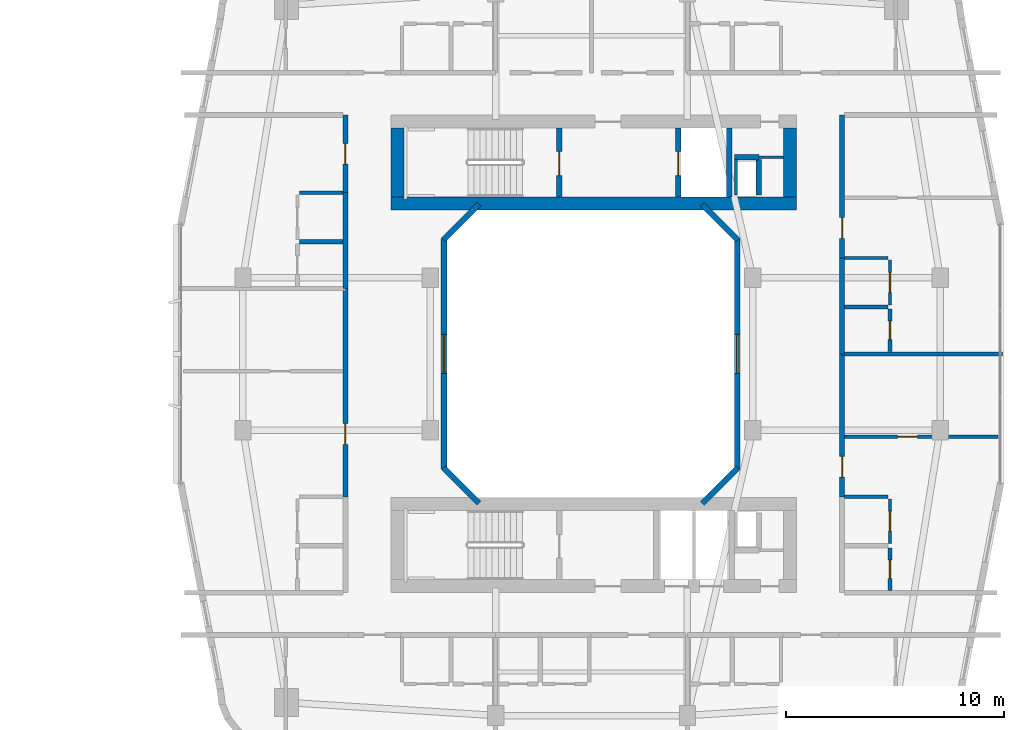
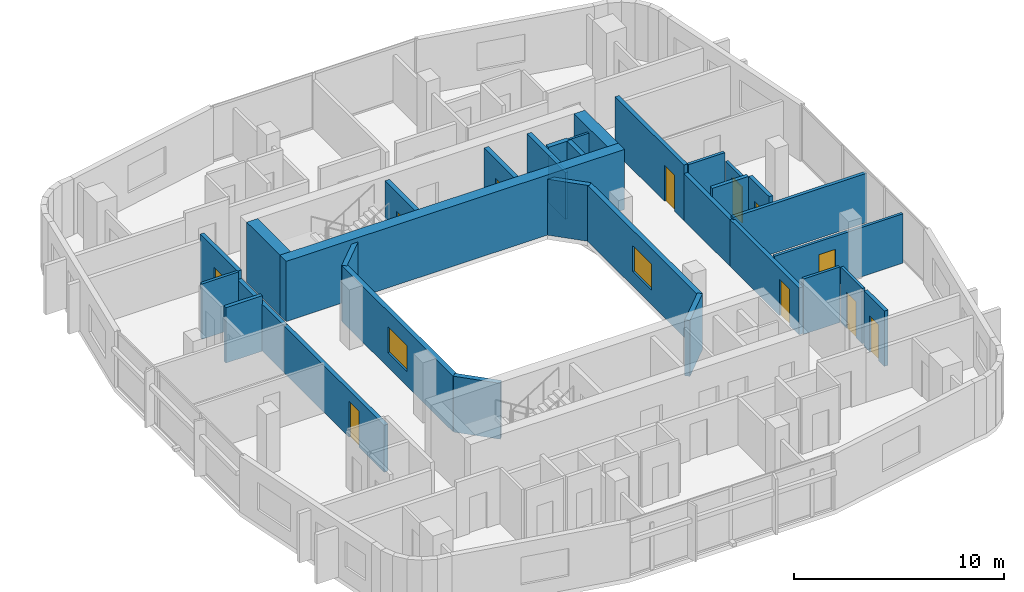
# One storey, part 19 of 26: 33 walls, 11 doors, 2 windows, 13 openings.
"""IFC4 building model written with IfcOpenShell, lengths in metres."""

from ifc_helpers import new_model, si_unit, derived_unit, direction, frame, frame_2d, origin, place, context, subcontext, project, spatial, rectangle, extrude, material, layer, layer_set, type_object, element, fill, save


model = new_model("IFC4")

# Units and contexts
model_context = context("Model", 3, precision=1e-05, world=origin(), true_north=direction((0.0, 1.0)))
body_context = subcontext(model_context, "Body", "Model", "MODEL_VIEW")
ifc_project = project(units=[si_unit("LENGTHUNIT", "METRE"), si_unit("AREAUNIT", "SQUARE_METRE"), si_unit("VOLUMEUNIT", "CUBIC_METRE"), si_unit("PLANEANGLEUNIT", "RADIAN"), si_unit("MASSUNIT", "GRAM", prefix="KILO"), derived_unit("THERMALTRANSMITTANCEUNIT", [(si_unit("POWERUNIT", "WATT"), 1), (si_unit("LENGTHUNIT", "METRE"), -2), (si_unit("THERMODYNAMICTEMPERATUREUNIT", "KELVIN"), -1)])], contexts=[model_context])

# Site, building, storey
site_placement = place(None, origin())
site = spatial("IfcSite", under=ifc_project, at=site_placement, CompositionType="ELEMENT")
building_placement = place(site_placement, origin())
building = spatial("IfcBuilding", under=site, at=building_placement, Name="Kivonza Crest Hotel", CompositionType="ELEMENT")
storey_placement = place(building_placement, frame((0.0, 0.0, 55.5)))
storey = spatial("IfcBuildingStorey", under=building, at=storey_placement, Name="L14", CompositionType="ELEMENT", Elevation=55.5)

# Wall
ifc_material_1 = material(Name="High-density acoustic masonry inter-tenancy wall", Category="masonry")
ifc_layer_1 = layer(ifc_material_1, 0.179931640625)
ifc_layer_set_1 = layer_set([ifc_layer_1], Name="High-density acoustic masonry inter-tenancy wall")
wall_type_1 = type_object("IfcWallType", Name="WL-ACOU-180", PredefinedType="SOLIDWALL", material=ifc_layer_set_1)
wall_1_placement = place(storey_placement, frame((88.5, 25.0, 0.0), z_axis=(0.0, 0.0, 1.0), x_axis=(1.0, 0.0, 0.0)))
element("IfcWall", 1, at=wall_1_placement, inside=storey, type_object=wall_type_1, Name="L14 interior partition WA-L14-T2E-DIV1", PredefinedType="SOLIDWALL", context=body_context, shape_type="SweptSolid", body=[
    extrude(rectangle(XDim=7.360107421875, YDim=0.179931640625, at=frame_2d((3.68017578125, 0.0))), origin(), (0.0, 0.0, 1.0), 2.864990234375),
])

# Wall, opening, door
ifc_material_2 = material(Name="Autoclaved aerated concrete blockwork", Category="masonry")
ifc_layer_2 = layer(ifc_material_2, 0.219970703125)
ifc_layer_set_2 = layer_set([ifc_layer_2], Name="Autoclaved aerated concrete blockwork")
wall_type_2 = type_object("IfcWallType", Name="WL-ACOU-220", PredefinedType="SOLIDWALL", material=ifc_layer_set_2)
wall_2_placement = place(storey_placement, frame((65.699951171875, 18.43994140625, 0.0), z_axis=(0.0, 0.0, 1.0), x_axis=(0.0, 1.0, 0.0)))
wall_2 = element("IfcWall", 2, at=wall_2_placement, inside=storey, type_object=wall_type_2, Name="L14 interior partition WA-L14-A06-MCORR", PredefinedType="SOLIDWALL", context=body_context, shape_type="SweptSolid", body=[
    extrude(rectangle(XDim=9.56005859375, YDim=0.219970703125, at=frame_2d((4.780029296875, 0.0))), origin(), (0.0, 0.0, 1.0), 2.72509765625),
])
opening_1_placement = place(wall_2_placement, frame((2.405029296875, 0.0, 0.0)))
opening_1 = element("IfcOpeningElement", 3, at=opening_1_placement, cuts=wall_2, Name="Opening DU-60", PredefinedType="OPENING", context=body_context, shape_type="SweptSolid", body=[
    extrude(rectangle(XDim=0.949951171875, YDim=2.10009765625, at=frame_2d((0.47509765625, 1.050048828125))), frame((0.0, 0.1201171875, 0.0), z_axis=(0.0, -1.0, 0.0), x_axis=(1.0, 0.0, 0.0)), (0.0, 0.0, 1.0), 0.239990234375),
])
ifc_material_3 = material(Name="Hardwood timber oak", Category="wood")
door_type_1 = type_object("IfcDoorType", Name="DR-UNIT-950", OperationType="NOTDEFINED", PredefinedType="DOOR", material=ifc_material_3)
door_1_placement = place(opening_1_placement, origin())
door_1 = element("IfcDoor", 4, at=door_1_placement, inside=storey, type_object=door_type_1, Name="L14 A06 apartment entrance fire door", OperationType="SINGLE_SWING_RIGHT", OverallHeight=2.10009765625, OverallWidth=0.949951171875, PredefinedType="DOOR", context=body_context, shape_type="SweptSolid", body=[
    extrude(rectangle(XDim=0.949951171875, YDim=2.10009765625, at=frame_2d((0.47509765625, 1.050048828125))), frame((0.0, 0.02490234375, 0.0), z_axis=(0.0, -1.0, 0.0), x_axis=(1.0, 0.0, 0.0)), (0.0, 0.0, 1.0), 0.050048828125),
])
fill(opening_1, door_1)

# Wall
wall_3_placement = place(storey_placement, frame((65.699951171875, 28.0, 0.0), z_axis=(0.0, 0.0, 1.0), x_axis=(0.0, 1.0, 0.0)))
element("IfcWall", 5, at=wall_3_placement, inside=storey, type_object=wall_type_2, Name="L14 interior partition WA-L14-A07-BCORR", PredefinedType="SOLIDWALL", context=body_context, shape_type="SweptSolid", body=[
    extrude(rectangle(XDim=4.39990234375, YDim=0.219970703125, at=frame_2d((2.199951171875, 0.0))), origin(), (0.0, 0.0, 1.0), 2.72509765625),
])

# Wall, opening, door
wall_4_placement = place(storey_placement, frame((65.699951171875, 32.39990234375, 0.0), z_axis=(0.0, 0.0, 1.0), x_axis=(0.0, 1.0, 0.0)))
wall_4 = element("IfcWall", 6, at=wall_4_placement, inside=storey, type_object=wall_type_2, Name="L14 interior partition WA-L14-A07-MCORR", PredefinedType="SOLIDWALL", context=body_context, shape_type="SweptSolid", body=[
    extrude(rectangle(XDim=3.56005859375, YDim=0.219970703125, at=frame_2d((1.780029296875, 0.0))), origin(), (0.0, 0.0, 1.0), 3.219970703125),
])
opening_2_placement = place(wall_4_placement, frame((1.304931640625, 0.0, 0.0)))
opening_2 = element("IfcOpeningElement", 7, at=opening_2_placement, cuts=wall_4, Name="Opening DU-60", PredefinedType="OPENING", context=body_context, shape_type="SweptSolid", body=[
    extrude(rectangle(XDim=0.949951171875, YDim=2.10009765625, at=frame_2d((0.47509765625, 1.050048828125))), frame((0.0, 0.1201171875, 0.0), z_axis=(0.0, -1.0, 0.0), x_axis=(1.0, 0.0, 0.0)), (0.0, 0.0, 1.0), 0.239990234375),
])
door_2_placement = place(opening_2_placement, origin())
door_2 = element("IfcDoor", 8, at=door_2_placement, inside=storey, type_object=door_type_1, Name="L14 A07 apartment entrance fire door", OperationType="SINGLE_SWING_LEFT", OverallHeight=2.10009765625, OverallWidth=0.949951171875, PredefinedType="DOOR", context=body_context, shape_type="SweptSolid", body=[
    extrude(rectangle(XDim=0.949951171875, YDim=2.10009765625, at=frame_2d((0.47509765625, 1.050048828125))), frame((0.0, 0.02490234375, 0.0), z_axis=(0.0, -1.0, 0.0), x_axis=(1.0, 0.0, 0.0)), (0.0, 0.0, 1.0), 0.050048828125),
])
fill(opening_2, door_2)

wall_5_placement = place(storey_placement, frame((88.5, 18.43994140625, 0.0), z_axis=(0.0, 0.0, 1.0), x_axis=(0.0, 1.0, 0.0)))
wall_5 = element("IfcWall", 9, at=wall_5_placement, inside=storey, type_object=wall_type_2, Name="L14 interior partition WA-L14-A08-MCORR", PredefinedType="SOLIDWALL", context=body_context, shape_type="SweptSolid", body=[
    extrude(rectangle(XDim=6.56005859375, YDim=0.219970703125, at=frame_2d((3.280029296875, 0.0))), origin(), (0.0, 0.0, 1.0), 2.72509765625),
])
opening_3_placement = place(wall_5_placement, frame((0.905029296875, 0.0, 0.0)))
opening_3 = element("IfcOpeningElement", 10, at=opening_3_placement, cuts=wall_5, Name="Opening DU-60", PredefinedType="OPENING", context=body_context, shape_type="SweptSolid", body=[
    extrude(rectangle(XDim=0.949951171875, YDim=2.10009765625, at=frame_2d((0.47509765625, 1.050048828125))), frame((0.0, 0.1201171875, 0.0), z_axis=(0.0, -1.0, 0.0), x_axis=(1.0, 0.0, 0.0)), (0.0, 0.0, 1.0), 0.239990234375),
])
door_3_placement = place(opening_3_placement, frame((0.949951171875, 0.0, 0.0), z_axis=(0.0, 0.0, 1.0), x_axis=(-1.0, 0.0, 0.0)))
door_3 = element("IfcDoor", 11, at=door_3_placement, inside=storey, type_object=door_type_1, Name="L14 A08 apartment entrance fire door", OperationType="SINGLE_SWING_RIGHT", OverallHeight=2.10009765625, OverallWidth=0.949951171875, PredefinedType="DOOR", context=body_context, shape_type="SweptSolid", body=[
    extrude(rectangle(XDim=0.949951171875, YDim=2.10009765625, at=frame_2d((0.47509765625, 1.050048828125))), frame((0.0, 0.02490234375, 0.0), z_axis=(0.0, -1.0, 0.0), x_axis=(1.0, 0.0, 0.0)), (0.0, 0.0, 1.0), 0.050048828125),
])
fill(opening_3, door_3)

# Wall
wall_6_placement = place(storey_placement, frame((88.5, 25.0, 0.0), z_axis=(0.0, 0.0, 1.0), x_axis=(0.0, 1.0, 0.0)))
element("IfcWall", 12, at=wall_6_placement, inside=storey, type_object=wall_type_2, Name="L14 interior partition WA-L14-A09-BCORR", PredefinedType="SOLIDWALL", context=body_context, shape_type="SweptSolid", body=[
    extrude(rectangle(XDim=4.39990234375, YDim=0.219970703125, at=frame_2d((2.199951171875, 0.0))), origin(), (0.0, 0.0, 1.0), 2.72509765625),
])

# Wall, opening, door
wall_7_placement = place(storey_placement, frame((88.5, 29.39990234375, 0.0), z_axis=(0.0, 0.0, 1.0), x_axis=(0.0, 1.0, 0.0)))
wall_7 = element("IfcWall", 13, at=wall_7_placement, inside=storey, type_object=wall_type_2, Name="L14 interior partition WA-L14-A09-MCORR", PredefinedType="SOLIDWALL", context=body_context, shape_type="SweptSolid", body=[
    extrude(rectangle(XDim=6.56005859375, YDim=0.219970703125, at=frame_2d((3.280029296875, 0.0))), origin(), (0.0, 0.0, 1.0), 3.219970703125),
])
opening_4_placement = place(wall_7_placement, frame((0.905029296875, 0.0, 0.0)))
opening_4 = element("IfcOpeningElement", 14, at=opening_4_placement, cuts=wall_7, Name="Opening DU-60", PredefinedType="OPENING", context=body_context, shape_type="SweptSolid", body=[
    extrude(rectangle(XDim=0.949951171875, YDim=2.10009765625, at=frame_2d((0.47509765625, 1.050048828125))), frame((0.0, 0.1201171875, 0.0), z_axis=(0.0, -1.0, 0.0), x_axis=(1.0, 0.0, 0.0)), (0.0, 0.0, 1.0), 0.239990234375),
])
door_4_placement = place(opening_4_placement, frame((0.949951171875, 0.0, 0.0), z_axis=(0.0, 0.0, 1.0), x_axis=(-1.0, 0.0, 0.0)))
door_4 = element("IfcDoor", 15, at=door_4_placement, inside=storey, type_object=door_type_1, Name="L14 A09 apartment entrance fire door", OperationType="SINGLE_SWING_LEFT", OverallHeight=2.10009765625, OverallWidth=0.949951171875, PredefinedType="DOOR", context=body_context, shape_type="SweptSolid", body=[
    extrude(rectangle(XDim=0.949951171875, YDim=2.10009765625, at=frame_2d((0.47509765625, 1.050048828125))), frame((0.0, 0.02490234375, 0.0), z_axis=(0.0, -1.0, 0.0), x_axis=(1.0, 0.0, 0.0)), (0.0, 0.0, 1.0), 0.050048828125),
])
fill(opening_4, door_4)

# Walls
ifc_material_4 = material(Name="Concrete C60/75", Category="concrete")
ifc_layer_3 = layer(ifc_material_4, 0.60009765625)
ifc_layer_set_3 = layer_set([ifc_layer_3], Name="Concrete C60/75")
wall_type_3 = type_object("IfcWallType", Name="WL-CORE-600", PredefinedType="SHEAR", material=ifc_layer_set_3)
wall_8_placement = place(storey_placement, frame((67.800048828125, 31.89990234375, 0.0), z_axis=(0.0, 0.0, 1.0), x_axis=(1.0, 0.0, 0.0)))
element("IfcWall", 16, at=wall_8_placement, inside=storey, type_object=wall_type_3, Name="Core wall T2-N South L14", PredefinedType="SHEAR", context=body_context, shape_type="SweptSolid", body=[
    extrude(rectangle(XDim=18.599853515625, YDim=0.60009765625, at=frame_2d((9.2998046875, 0.0))), origin(), (0.0, 0.0, 1.0), 3.5),
])
for number, where, z_axis, x_axis, name in (
    (17, (68.10009765625, 32.199951171875, 0.0), (0.0, 0.0, 1.0), (0.0, 1.0, 0.0), "Core wall T2-N West L14"),
    (18, (86.10009765625, 32.199951171875, 0.0), (0.0, 0.0, 1.0), (0.0, 1.0, 0.0), "Core wall T2-N East L14"),
):
    element("IfcWall", number, at=place(storey_placement, frame(where, z_axis=z_axis, x_axis=x_axis)), inside=storey, type_object=wall_type_3, Name=name, PredefinedType="SHEAR", context=body_context, shape_type="SweptSolid", body=[
        extrude(rectangle(XDim=3.16015625, YDim=0.60009765625, at=frame_2d((1.580078125, 0.0))), origin(), (0.0, 0.0, 1.0), 3.5),
    ])
ifc_material_5 = material(Name="Precast concrete C40/50", Category="concrete")
ifc_layer_4 = layer(ifc_material_5, 0.260009765625)
ifc_layer_set_4 = layer_set([ifc_layer_4], Name="Precast concrete C40/50")
wall_type_4 = type_object("IfcWallType", Name="WL-EXT-260", PredefinedType="STANDARD", material=ifc_layer_set_4)
wall_9_placement = place(storey_placement, frame((82.08203125, 18.137939453125, 0.0), z_axis=(0.0, 0.0, 1.0), x_axis=(0.707106781187, 0.707106781187, 0.0)))
element("IfcWall", 19, at=wall_9_placement, inside=storey, type_object=wall_type_4, Name="L14 T2 light-well exterior wall 2", PredefinedType="STANDARD", context=body_context, shape_type="SweptSolid", body=[
    extrude(rectangle(XDim=2.310791015625, YDim=0.260009765625, at=frame_2d((1.1552734375, 0.0))), origin(), (0.0, 0.0, 1.0), 3.25),
])

# Wall, opening, window
wall_10_placement = place(storey_placement, frame((83.68994140625, 19.7099609375, 0.0), z_axis=(0.0, 0.0, 1.0), x_axis=(0.0, 1.0, 0.0)))
wall_10 = element("IfcWall", 20, at=wall_10_placement, inside=storey, type_object=wall_type_4, Name="L14 T2 light-well exterior wall 3", PredefinedType="STANDARD", context=body_context, shape_type="SweptSolid", body=[
    extrude(rectangle(XDim=10.580078125, YDim=0.260009765625, at=frame_2d((5.2900390625, 0.0))), origin(), (0.0, 0.0, 1.0), 3.25),
])
opening_5_placement = place(wall_10_placement, frame((4.389892578125, 0.0, 0.85009765625)))
opening_5 = element("IfcOpeningElement", 21, at=opening_5_placement, cuts=wall_10, Name="Opening WN-03", PredefinedType="OPENING", context=body_context, shape_type="SweptSolid", body=[
    extrude(rectangle(XDim=1.800048828125, YDim=1.5, at=frame_2d((0.89990234375, 0.75))), frame((0.0, 0.14013671875, 0.0), z_axis=(0.0, -1.0, 0.0), x_axis=(1.0, 0.0, 0.0)), (0.0, 0.0, 1.0), 0.280029296875),
])
ifc_material_6 = material(Name="Thermally broken bronze aluminium and low-E double glazing", Category="aluminium")
window_type = type_object("IfcWindowType", Name="WN-180x150", PartitioningType="DOUBLE_PANEL_VERTICAL", PredefinedType="WINDOW", material=ifc_material_6)
window_1_placement = place(opening_5_placement, origin())
window_1 = element("IfcWindow", 22, at=window_1_placement, inside=storey, type_object=window_type, Name="L14 T2 light-well window 3", OverallHeight=1.5, OverallWidth=1.800048828125, PartitioningType="SINGLE_PANEL", PredefinedType="WINDOW", context=body_context, shape_type="SweptSolid", body=[
    extrude(rectangle(XDim=1.800048828125, YDim=1.5, at=frame_2d((0.89990234375, 0.75))), frame((0.0, 0.030029296875, 0.0), z_axis=(0.0, -1.0, 0.0), x_axis=(1.0, 0.0, 0.0)), (0.0, 0.0, 1.0), 0.06005859375),
])
fill(opening_5, window_1)

# Walls
for number, where, z_axis, x_axis, name in (
    (23, (83.716064453125, 30.22802734375, 0.0), (0.0, 0.0, 1.0), (-0.707106781187, 0.707106781187, 0.0), "L14 T2 light-well exterior wall 4"),
    (24, (71.837890625, 31.862060546875, 0.0), (0.0, 0.0, 1.0), (-0.707053950914, -0.707159607512, 0.0), "L14 T2 light-well exterior wall 6"),
):
    element("IfcWall", number, at=place(storey_placement, frame(where, z_axis=z_axis, x_axis=x_axis)), inside=storey, type_object=wall_type_4, Name=name, PredefinedType="STANDARD", context=body_context, shape_type="SweptSolid", body=[
        extrude(rectangle(XDim=2.310791015625, YDim=0.260009765625, at=frame_2d((1.1552734375, 0.0))), origin(), (0.0, 0.0, 1.0), 3.25),
    ])

# Wall, opening, window
wall_11_placement = place(storey_placement, frame((70.22998046875, 30.2900390625, 0.0), z_axis=(0.0, 0.0, 1.0), x_axis=(0.0, -1.0, 0.0)))
wall_11 = element("IfcWall", 25, at=wall_11_placement, inside=storey, type_object=wall_type_4, Name="L14 T2 light-well exterior wall 7", PredefinedType="STANDARD", context=body_context, shape_type="SweptSolid", body=[
    extrude(rectangle(XDim=10.580078125, YDim=0.260009765625, at=frame_2d((5.2900390625, 0.0))), origin(), (0.0, 0.0, 1.0), 3.25),
])
opening_6_placement = place(wall_11_placement, frame((4.389892578125, 0.0, 0.85009765625)))
opening_6 = element("IfcOpeningElement", 26, at=opening_6_placement, cuts=wall_11, Name="Opening WN-03", PredefinedType="OPENING", context=body_context, shape_type="SweptSolid", body=[
    extrude(rectangle(XDim=1.800048828125, YDim=1.5, at=frame_2d((0.89990234375, 0.75))), frame((0.0, 0.14013671875, 0.0), z_axis=(0.0, -1.0, 0.0), x_axis=(1.0, 0.0, 0.0)), (0.0, 0.0, 1.0), 0.280029296875),
])
window_2_placement = place(opening_6_placement, origin())
window_2 = element("IfcWindow", 27, at=window_2_placement, inside=storey, type_object=window_type, Name="L14 T2 light-well window 7", OverallHeight=1.5, OverallWidth=1.800048828125, PartitioningType="SINGLE_PANEL", PredefinedType="WINDOW", context=body_context, shape_type="SweptSolid", body=[
    extrude(rectangle(XDim=1.800048828125, YDim=1.5, at=frame_2d((0.89990234375, 0.75))), frame((0.0, 0.030029296875, 0.0), z_axis=(0.0, -1.0, 0.0), x_axis=(1.0, 0.0, 0.0)), (0.0, 0.0, 1.0), 0.06005859375),
])
fill(opening_6, window_2)

# Walls
wall_12_placement = place(storey_placement, frame((70.2041015625, 19.77197265625, 0.0), z_axis=(0.0, 0.0, 1.0), x_axis=(0.707053950914, -0.707159607512, 0.0)))
element("IfcWall", 28, at=wall_12_placement, inside=storey, type_object=wall_type_4, Name="L14 T2 light-well exterior wall 8", PredefinedType="STANDARD", context=body_context, shape_type="SweptSolid", body=[
    extrude(rectangle(XDim=2.310791015625, YDim=0.260009765625, at=frame_2d((1.1552734375, 0.0))), origin(), (0.0, 0.0, 1.0), 3.25),
])
ifc_material_7 = material(Name="Concrete blockwork fire-compartment wall", Category="masonry")
ifc_layer_5 = layer(ifc_material_7, 0.25)
ifc_layer_set_5 = layer_set([ifc_layer_5], Name="Concrete blockwork fire-compartment wall")
wall_type_5 = type_object("IfcWallType", Name="WL-FIRE-250", PredefinedType="SOLIDWALL", material=ifc_layer_set_5)
wall_13_placement = place(storey_placement, frame((84.679931640625, 32.300048828125, 0.0), z_axis=(0.0, 0.0, 1.0), x_axis=(0.0, 1.0, 0.0)))
element("IfcWall", 29, at=wall_13_placement, inside=storey, type_object=wall_type_5, Name="L14 interior partition WA-L14-T2-N-MEPR-E", PredefinedType="SOLIDWALL", context=body_context, shape_type="SweptSolid", body=[
    extrude(rectangle(XDim=1.619873046875, YDim=0.25, at=frame_2d((0.81005859375, 0.0))), origin(), (0.0, 0.0, 1.0), 3.219970703125),
])
wall_14_placement = place(storey_placement, frame((83.550048828125, 34.02001953125, 0.0), z_axis=(0.0, 0.0, 1.0), x_axis=(1.0, 0.0, 0.0)))
element("IfcWall", 30, at=wall_14_placement, inside=storey, type_object=wall_type_5, Name="L14 interior partition WA-L14-T2-N-MEPR-H", PredefinedType="SOLIDWALL", context=body_context, shape_type="SweptSolid", body=[
    extrude(rectangle(XDim=1.1298828125, YDim=0.25, at=frame_2d((0.56494140625, 0.0))), origin(), (0.0, 0.0, 1.0), 3.219970703125),
])
ifc_material_8 = material(Name="Metal-stud gypsum board partition", Category="gypsum")
ifc_layer_6 = layer(ifc_material_8, 0.125)
ifc_layer_set_6 = layer_set([ifc_layer_6], Name="Metal-stud gypsum board partition")
wall_type_6 = type_object("IfcWallType", Name="WL-PART-125", PredefinedType="PARTITIONING", material=ifc_layer_set_6)
wall_15_placement = place(storey_placement, frame((84.679931640625, 34.02001953125, 0.0), z_axis=(0.0, 0.0, 1.0), x_axis=(1.0, 0.0, 0.0)))
element("IfcWall", 31, at=wall_15_placement, inside=storey, type_object=wall_type_6, Name="L14 interior partition WP-L14-T2-N-T2H", PredefinedType="PARTITIONING", context=body_context, shape_type="SweptSolid", body=[
    extrude(rectangle(XDim=1.1201171875, YDim=0.125, at=frame_2d((0.56005859375, 0.0))), origin(), (0.0, 0.0, 1.0), 3.219970703125),
])
ifc_material_9 = material(Name="Twin-stud acoustic gypsum board partition", Category="gypsum")
ifc_layer_7 = layer(ifc_material_9, 0.14990234375)
ifc_layer_set_7 = layer_set([ifc_layer_7], Name="Twin-stud acoustic gypsum board partition")
wall_type_7 = type_object("IfcWallType", Name="WL-PART-150", PredefinedType="PARTITIONING", material=ifc_layer_set_7)
wall_16_placement = place(storey_placement, frame((83.6298828125, 32.300048828125, 0.0), z_axis=(0.0, 0.0, 1.0), x_axis=(0.0, 1.0, 0.0)))
element("IfcWall", 32, at=wall_16_placement, inside=storey, type_object=wall_type_7, Name="L14 interior partition WA-L14-T2-N-MEPR-W", PredefinedType="PARTITIONING", context=body_context, shape_type="SweptSolid", body=[
    extrude(rectangle(XDim=1.619873046875, YDim=0.14990234375, at=frame_2d((0.81005859375, 0.0))), origin(), (0.0, 0.0, 1.0), 2.72509765625),
])
wall_17_placement = place(storey_placement, frame((63.60009765625, 32.39990234375, 0.0), z_axis=(0.0, 0.0, 1.0), x_axis=(1.0, 0.0, 0.0)))
element("IfcWall", 33, at=wall_17_placement, inside=storey, type_object=wall_type_7, Name="L14 interior partition WP-L14-A07-KF", PredefinedType="PARTITIONING", context=body_context, shape_type="SweptSolid", body=[
    extrude(rectangle(XDim=2.0, YDim=0.14990234375, at=frame_2d((1.0, 0.0))), origin(), (0.0, 0.0, 1.0), 3.219970703125),
])

# Wall, opening, door
wall_18_placement = place(storey_placement, frame((88.60009765625, 21.199951171875, 0.0), z_axis=(0.0, 0.0, 1.0), x_axis=(1.0, 0.0, 0.0)))
wall_18 = element("IfcWall", 34, at=wall_18_placement, inside=storey, type_object=wall_type_7, Name="L14 interior partition WP-L14-A08-BD1", PredefinedType="PARTITIONING", context=body_context, shape_type="SweptSolid", body=[
    extrude(rectangle(XDim=7.059814453125, YDim=0.14990234375, at=frame_2d((3.52978515625, 0.0))), origin(), (0.0, 0.0, 1.0), 2.864990234375),
])
opening_7_placement = place(wall_18_placement, frame((2.449951171875, 0.0, 0.0)))
opening_7 = element("IfcOpeningElement", 35, at=opening_7_placement, cuts=wall_18, Name="Opening DI-90", PredefinedType="OPENING", context=body_context, shape_type="SweptSolid", body=[
    extrude(rectangle(XDim=0.89990234375, YDim=2.10009765625, at=frame_2d((0.449951171875, 1.050048828125))), frame((0.0, 0.0849609375, 0.0), z_axis=(0.0, -1.0, 0.0), x_axis=(1.0, 0.0, 0.0)), (0.0, 0.0, 1.0), 0.169921875),
])
door_type_2 = type_object("IfcDoorType", Name="DR-INT-900", OperationType="NOTDEFINED", PredefinedType="DOOR", material=ifc_material_3)
door_5_placement = place(opening_7_placement, origin())
door_5 = element("IfcDoor", 36, at=door_5_placement, inside=storey, type_object=door_type_2, Name="L14 A08 bedroom door", OperationType="SINGLE_SWING_LEFT", OverallHeight=2.10009765625, OverallWidth=0.89990234375, PredefinedType="DOOR", context=body_context, shape_type="SweptSolid", body=[
    extrude(rectangle(XDim=0.89990234375, YDim=2.10009765625, at=frame_2d((0.449951171875, 1.050048828125))), frame((0.0, 0.02490234375, 0.0), z_axis=(0.0, -1.0, 0.0), x_axis=(1.0, 0.0, 0.0)), (0.0, 0.0, 1.0), 0.050048828125),
])
fill(opening_7, door_5)

# Wall
wall_19_placement = place(storey_placement, frame((88.60009765625, 18.43994140625, 0.0), z_axis=(0.0, 0.0, 1.0), x_axis=(1.0, 0.0, 0.0)))
element("IfcWall", 37, at=wall_19_placement, inside=storey, type_object=wall_type_7, Name="L14 interior partition WP-L14-A08-KF", PredefinedType="PARTITIONING", context=body_context, shape_type="SweptSolid", body=[
    extrude(rectangle(XDim=2.0, YDim=0.14990234375, at=frame_2d((1.0, 0.0))), origin(), (0.0, 0.0, 1.0), 3.219970703125),
])

# Wall, opening, door
wall_20_placement = place(storey_placement, frame((90.699951171875, 16.2900390625, 0.0), z_axis=(0.0, 0.0, 1.0), x_axis=(0.0, 1.0, 0.0)))
wall_20 = element("IfcWall", 38, at=wall_20_placement, inside=storey, type_object=wall_type_7, Name="L14 interior partition WP-L14-A08-KSVC", PredefinedType="PARTITIONING", context=body_context, shape_type="SweptSolid", body=[
    extrude(rectangle(XDim=2.050048828125, YDim=0.14990234375, at=frame_2d((1.02490234375, 0.0))), origin(), (0.0, 0.0, 1.0), 3.219970703125),
])
opening_8_placement = place(wall_20_placement, frame((0.574951171875, 0.0, 0.0)))
opening_8 = element("IfcOpeningElement", 39, at=opening_8_placement, cuts=wall_20, Name="Opening DI-90", PredefinedType="OPENING", context=body_context, shape_type="SweptSolid", body=[
    extrude(rectangle(XDim=0.89990234375, YDim=2.10009765625, at=frame_2d((0.449951171875, 1.050048828125))), frame((0.0, 0.0849609375, 0.0), z_axis=(0.0, -1.0, 0.0), x_axis=(1.0, 0.0, 0.0)), (0.0, 0.0, 1.0), 0.169921875),
])
door_6_placement = place(opening_8_placement, frame((0.89990234375, 0.0, 0.0), z_axis=(0.0, 0.0, 1.0), x_axis=(-1.0, 0.0, 0.0)))
door_6 = element("IfcDoor", 40, at=door_6_placement, inside=storey, type_object=door_type_2, Name="L14 A08 apartment kitchen door", OperationType="SINGLE_SWING_RIGHT", OverallHeight=2.10009765625, OverallWidth=0.89990234375, PredefinedType="DOOR", context=body_context, shape_type="SweptSolid", body=[
    extrude(rectangle(XDim=0.89990234375, YDim=2.10009765625, at=frame_2d((0.449951171875, 1.050048828125))), frame((0.0, 0.02490234375, 0.0), z_axis=(0.0, -1.0, 0.0), x_axis=(1.0, 0.0, 0.0)), (0.0, 0.0, 1.0), 0.050048828125),
])
fill(opening_8, door_6)

# Wall
wall_21_placement = place(storey_placement, frame((88.60009765625, 29.39990234375, 0.0), z_axis=(0.0, 0.0, 1.0), x_axis=(1.0, 0.0, 0.0)))
element("IfcWall", 41, at=wall_21_placement, inside=storey, type_object=wall_type_7, Name="L14 interior partition WP-L14-A09-KF", PredefinedType="PARTITIONING", context=body_context, shape_type="SweptSolid", body=[
    extrude(rectangle(XDim=2.0, YDim=0.14990234375, at=frame_2d((1.0, 0.0))), origin(), (0.0, 0.0, 1.0), 3.219970703125),
])

# Wall, opening, door
wall_22_placement = place(storey_placement, frame((90.699951171875, 27.25, 0.0), z_axis=(0.0, 0.0, 1.0), x_axis=(0.0, 1.0, 0.0)))
wall_22 = element("IfcWall", 42, at=wall_22_placement, inside=storey, type_object=wall_type_7, Name="L14 interior partition WP-L14-A09-KSVC", PredefinedType="PARTITIONING", context=body_context, shape_type="SweptSolid", body=[
    extrude(rectangle(XDim=2.050048828125, YDim=0.14990234375, at=frame_2d((1.02490234375, 0.0))), origin(), (0.0, 0.0, 1.0), 2.72509765625),
])
opening_9_placement = place(wall_22_placement, frame((0.574951171875, 0.0, 0.0)))
opening_9 = element("IfcOpeningElement", 43, at=opening_9_placement, cuts=wall_22, Name="Opening DI-90", PredefinedType="OPENING", context=body_context, shape_type="SweptSolid", body=[
    extrude(rectangle(XDim=0.89990234375, YDim=2.10009765625, at=frame_2d((0.449951171875, 1.050048828125))), frame((0.0, 0.0849609375, 0.0), z_axis=(0.0, -1.0, 0.0), x_axis=(1.0, 0.0, 0.0)), (0.0, 0.0, 1.0), 0.169921875),
])
door_7_placement = place(opening_9_placement, frame((0.89990234375, 0.0, 0.0), z_axis=(0.0, 0.0, 1.0), x_axis=(-1.0, 0.0, 0.0)))
door_7 = element("IfcDoor", 44, at=door_7_placement, inside=storey, type_object=door_type_2, Name="L14 A09 apartment kitchen door", OperationType="SINGLE_SWING_LEFT", OverallHeight=2.10009765625, OverallWidth=0.89990234375, PredefinedType="DOOR", context=body_context, shape_type="SweptSolid", body=[
    extrude(rectangle(XDim=0.89990234375, YDim=2.10009765625, at=frame_2d((0.449951171875, 1.050048828125))), frame((0.0, 0.02490234375, 0.0), z_axis=(0.0, -1.0, 0.0), x_axis=(1.0, 0.0, 0.0)), (0.0, 0.0, 1.0), 0.050048828125),
])
fill(opening_9, door_7)

# Wall
ifc_material_10 = material(Name="Moisture-resistant plumbing chase partition wall", Category="gypsum")
ifc_layer_8 = layer(ifc_material_10, 0.199951171875)
ifc_layer_set_8 = layer_set([ifc_layer_8], Name="Moisture-resistant plumbing chase partition wall")
wall_type_8 = type_object("IfcWallType", Name="WL-PLUMB-200", PredefinedType="PLUMBINGWALL", material=ifc_layer_set_8)
wall_23_placement = place(storey_placement, frame((63.60009765625, 30.14990234375, 0.0), z_axis=(0.0, 0.0, 1.0), x_axis=(1.0, 0.0, 0.0)))
element("IfcWall", 45, at=wall_23_placement, inside=storey, type_object=wall_type_8, Name="L14 interior partition WW-L14-A07-BK", PredefinedType="PLUMBINGWALL", context=body_context, shape_type="SweptSolid", body=[
    extrude(rectangle(XDim=2.0, YDim=0.199951171875, at=frame_2d((1.0, 0.0))), origin(), (0.0, 0.0, 1.0), 3.219970703125),
])

# Wall, opening, door
wall_24_placement = place(storey_placement, frame((90.699951171875, 14.139892578125, 0.0), z_axis=(0.0, 0.0, 1.0), x_axis=(0.0, 1.0, 0.0)))
wall_24 = element("IfcWall", 46, at=wall_24_placement, inside=storey, type_object=wall_type_8, Name="L14 interior partition WW-L14-A08-BSVC", PredefinedType="PLUMBINGWALL", context=body_context, shape_type="SweptSolid", body=[
    extrude(rectangle(XDim=1.9501953125, YDim=0.199951171875, at=frame_2d((0.97509765625, 0.0))), origin(), (0.0, 0.0, 1.0), 3.219970703125),
])
opening_10_placement = place(wall_24_placement, frame((0.550048828125, 0.0, 0.0)))
opening_10 = element("IfcOpeningElement", 47, at=opening_10_placement, cuts=wall_24, Name="Opening DI-85", PredefinedType="OPENING", context=body_context, shape_type="SweptSolid", body=[
    extrude(rectangle(XDim=0.85009765625, YDim=2.10009765625, at=frame_2d((0.425048828125, 1.050048828125))), frame((0.0, 0.10986328125, 0.0), z_axis=(0.0, -1.0, 0.0), x_axis=(1.0, 0.0, 0.0)), (0.0, 0.0, 1.0), 0.219970703125),
])
door_type_3 = type_object("IfcDoorType", Name="DR-INT-850", OperationType="NOTDEFINED", PredefinedType="DOOR", material=ifc_material_3)
door_8_placement = place(opening_10_placement, frame((0.85009765625, 0.0, 0.0), z_axis=(0.0, 0.0, 1.0), x_axis=(-1.0, 0.0, 0.0)))
door_8 = element("IfcDoor", 48, at=door_8_placement, inside=storey, type_object=door_type_3, Name="L14 A08 apartment bathroom door", OperationType="SINGLE_SWING_LEFT", OverallHeight=2.10009765625, OverallWidth=0.85009765625, PredefinedType="DOOR", context=body_context, shape_type="SweptSolid", body=[
    extrude(rectangle(XDim=0.85009765625, YDim=2.10009765625, at=frame_2d((0.425048828125, 1.050048828125))), frame((0.0, 0.02490234375, 0.0), z_axis=(0.0, -1.0, 0.0), x_axis=(1.0, 0.0, 0.0)), (0.0, 0.0, 1.0), 0.050048828125),
])
fill(opening_10, door_8)

# Wall
wall_25_placement = place(storey_placement, frame((88.60009765625, 27.14990234375, 0.0), z_axis=(0.0, 0.0, 1.0), x_axis=(1.0, 0.0, 0.0)))
element("IfcWall", 49, at=wall_25_placement, inside=storey, type_object=wall_type_8, Name="L14 interior partition WW-L14-A09-BK", PredefinedType="PLUMBINGWALL", context=body_context, shape_type="SweptSolid", body=[
    extrude(rectangle(XDim=2.0, YDim=0.199951171875, at=frame_2d((1.0, 0.0))), origin(), (0.0, 0.0, 1.0), 3.219970703125),
])

# Wall, opening, door
wall_26_placement = place(storey_placement, frame((90.699951171875, 25.10009765625, 0.0), z_axis=(0.0, 0.0, 1.0), x_axis=(0.0, 1.0, 0.0)))
wall_26 = element("IfcWall", 50, at=wall_26_placement, inside=storey, type_object=wall_type_8, Name="L14 interior partition WW-L14-A09-BSVC", PredefinedType="PLUMBINGWALL", context=body_context, shape_type="SweptSolid", body=[
    extrude(rectangle(XDim=1.949951171875, YDim=0.199951171875, at=frame_2d((0.97509765625, 0.0))), origin(), (0.0, 0.0, 1.0), 3.219970703125),
])
opening_11_placement = place(wall_26_placement, frame((0.550048828125, 0.0, 0.0)))
opening_11 = element("IfcOpeningElement", 51, at=opening_11_placement, cuts=wall_26, Name="Opening DI-85", PredefinedType="OPENING", context=body_context, shape_type="SweptSolid", body=[
    extrude(rectangle(XDim=0.85009765625, YDim=2.10009765625, at=frame_2d((0.425048828125, 1.050048828125))), frame((0.0, 0.10986328125, 0.0), z_axis=(0.0, -1.0, 0.0), x_axis=(1.0, 0.0, 0.0)), (0.0, 0.0, 1.0), 0.219970703125),
])
door_9_placement = place(opening_11_placement, frame((0.85009765625, 0.0, 0.0), z_axis=(0.0, 0.0, 1.0), x_axis=(-1.0, 0.0, 0.0)))
door_9 = element("IfcDoor", 52, at=door_9_placement, inside=storey, type_object=door_type_3, Name="L14 A09 apartment bathroom door", OperationType="SINGLE_SWING_RIGHT", OverallHeight=2.10009765625, OverallWidth=0.85009765625, PredefinedType="DOOR", context=body_context, shape_type="SweptSolid", body=[
    extrude(rectangle(XDim=0.85009765625, YDim=2.10009765625, at=frame_2d((0.425048828125, 1.050048828125))), frame((0.0, 0.02490234375, 0.0), z_axis=(0.0, -1.0, 0.0), x_axis=(1.0, 0.0, 0.0)), (0.0, 0.0, 1.0), 0.050048828125),
])
fill(opening_11, door_9)

ifc_material_11 = material(Name="Concrete C50/60", Category="concrete")
ifc_layer_9 = layer(ifc_material_11, 0.25)
ifc_layer_set_9 = layer_set([ifc_layer_9], Name="Concrete C50/60")
wall_type_9 = type_object("IfcWallType", Name="WL-SHAFT-250", PredefinedType="STANDARD", material=ifc_layer_set_9)
wall_27_placement = place(storey_placement, frame((75.52490234375, 32.199951171875, 0.0), z_axis=(0.0, 0.0, 1.0), x_axis=(0.0, 1.0, 0.0)))
wall_27 = element("IfcWall", 53, at=wall_27_placement, inside=storey, type_object=wall_type_9, Name="Core shaft wall T2-N STAIR L14", PredefinedType="STANDARD", context=body_context, shape_type="SweptSolid", body=[
    extrude(rectangle(XDim=3.16015625, YDim=0.25, at=frame_2d((1.580078125, 0.0))), origin(), (0.0, 0.0, 1.0), 3.25),
])
opening_12_placement = place(wall_27_placement, frame((0.97998046875, 0.0, 0.0)))
opening_12 = element("IfcOpeningElement", 54, at=opening_12_placement, cuts=wall_27, Name="Opening DF-120", PredefinedType="OPENING", context=body_context, shape_type="SweptSolid", body=[
    extrude(rectangle(XDim=1.10009765625, YDim=2.14990234375, at=frame_2d((0.550048828125, 1.074951171875))), frame((0.0, 0.135009765625, 0.0), z_axis=(0.0, -1.0, 0.0), x_axis=(1.0, 0.0, 0.0)), (0.0, 0.0, 1.0), 0.27001953125),
])
ifc_material_12 = material(Name="Galvanised steel", Category="steel")
door_type_4 = type_object("IfcDoorType", Name="DR-FD120-1100", OperationType="NOTDEFINED", PredefinedType="DOOR", material=ifc_material_12)
door_10_placement = place(opening_12_placement, frame((1.10009765625, 0.0, 0.0), z_axis=(0.0, 0.0, 1.0), x_axis=(-1.0, 0.0, 0.0)))
door_10 = element("IfcDoor", 55, at=door_10_placement, inside=storey, type_object=door_type_4, Name="L14 T2-N stair fire door", OperationType="SINGLE_SWING_LEFT", OverallHeight=2.14990234375, OverallWidth=1.10009765625, PredefinedType="DOOR", context=body_context, shape_type="SweptSolid", body=[
    extrude(rectangle(XDim=1.10009765625, YDim=2.14990234375, at=frame_2d((0.550048828125, 1.074951171875))), frame((0.0, 0.02490234375, 0.0), z_axis=(0.0, -1.0, 0.0), x_axis=(1.0, 0.0, 0.0)), (0.0, 0.0, 1.0), 0.050048828125),
])
fill(opening_12, door_10)

wall_28_placement = place(storey_placement, frame((80.97509765625, 32.199951171875, 0.0), z_axis=(0.0, 0.0, 1.0), x_axis=(0.0, 1.0, 0.0)))
wall_28 = element("IfcWall", 56, at=wall_28_placement, inside=storey, type_object=wall_type_9, Name="Core shaft wall T2-N FFL-W L14", PredefinedType="STANDARD", context=body_context, shape_type="SweptSolid", body=[
    extrude(rectangle(XDim=3.16015625, YDim=0.25, at=frame_2d((1.580078125, 0.0))), origin(), (0.0, 0.0, 1.0), 3.25),
])
opening_13_placement = place(wall_28_placement, frame((0.97998046875, 0.0, 0.0)))
opening_13 = element("IfcOpeningElement", 57, at=opening_13_placement, cuts=wall_28, Name="Opening LD-120", PredefinedType="OPENING", context=body_context, shape_type="SweptSolid", body=[
    extrude(rectangle(XDim=1.10009765625, YDim=2.14990234375, at=frame_2d((0.550048828125, 1.074951171875))), frame((0.0, 0.135009765625, 0.0), z_axis=(0.0, -1.0, 0.0), x_axis=(1.0, 0.0, 0.0)), (0.0, 0.0, 1.0), 0.27001953125),
])
ifc_material_13 = material(Name="Stainless steel", Category="steel")
door_type_5 = type_object("IfcDoorType", Name="DR-LD120-1100", OperationType="NOTDEFINED", PredefinedType="DOOR", material=ifc_material_13)
door_11_placement = place(opening_13_placement, origin())
door_11 = element("IfcDoor", 58, at=door_11_placement, inside=storey, type_object=door_type_5, Name="L14 FFL-T2 firefighting lift sliding landing door", OperationType="DOUBLE_DOOR_SLIDING", OverallHeight=2.14990234375, OverallWidth=1.10009765625, PredefinedType="DOOR", context=body_context, shape_type="SweptSolid", body=[
    extrude(rectangle(XDim=1.10009765625, YDim=2.14990234375, at=frame_2d((0.550048828125, 1.074951171875))), frame((0.0, 0.02490234375, 0.0), z_axis=(0.0, -1.0, 0.0), x_axis=(1.0, 0.0, 0.0)), (0.0, 0.0, 1.0), 0.050048828125),
])
fill(opening_13, door_11)

# Wall
wall_29_placement = place(storey_placement, frame((83.324951171875, 32.199951171875, 0.0), z_axis=(0.0, 0.0, 1.0), x_axis=(0.0, 1.0, 0.0)))
element("IfcWall", 59, at=wall_29_placement, inside=storey, type_object=wall_type_9, Name="Core shaft wall T2-N FFL-E L14", PredefinedType="STANDARD", context=body_context, shape_type="SweptSolid", body=[
    extrude(rectangle(XDim=3.16015625, YDim=0.25, at=frame_2d((1.580078125, 0.0))), origin(), (0.0, 0.0, 1.0), 3.25),
])

save(model, "model.ifc")
